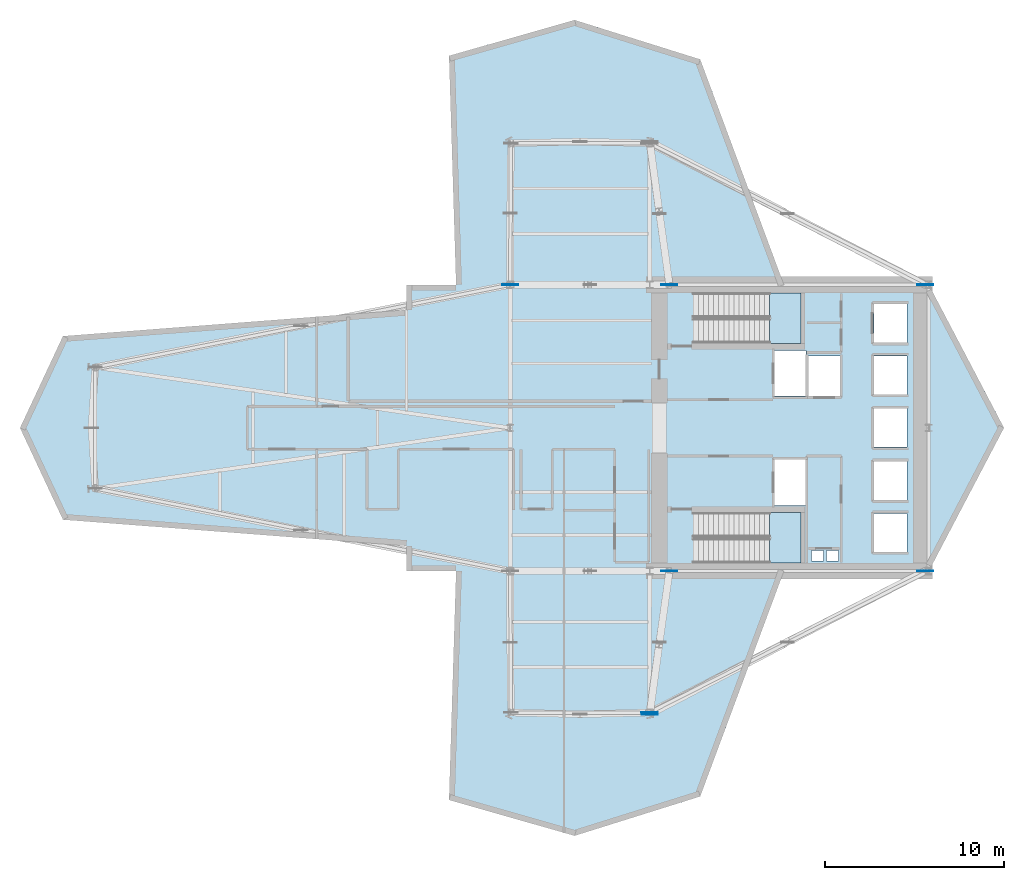
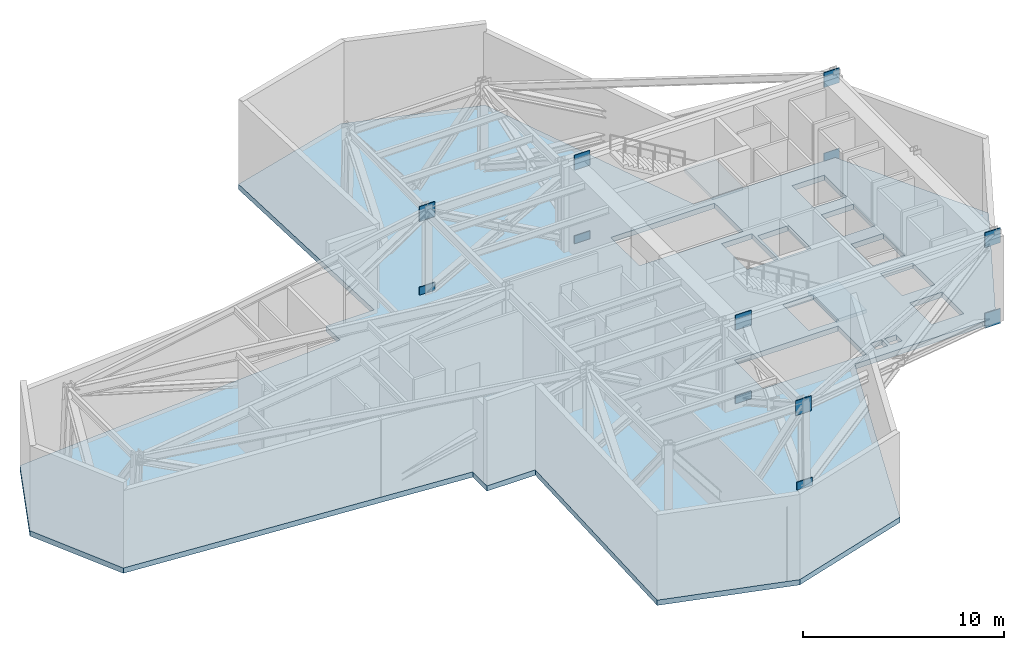
# One storey, part 3 of 7: 12 plates, 3 slabs, 2 elements without a shape of their own.
"""IFC4 building model written with IfcOpenShell, lengths in metres."""

from ifc_helpers import new_model, si_unit, direction, frame, origin, origin_2d, place, context, subcontext, project, spatial, polyline, rectangle, outline, extrude, material, layer, layer_set, type_object, element, aggregate, save


model = new_model("IFC4")

# Units and contexts
model_context = context("Model", 3, precision=1e-05, world=origin(), true_north=direction((0.0, 1.0)))
body_context = subcontext(model_context, "Body", "Model", "MODEL_VIEW")
ifc_project = project(units=[si_unit("LENGTHUNIT", "METRE"), si_unit("AREAUNIT", "SQUARE_METRE"), si_unit("VOLUMEUNIT", "CUBIC_METRE"), si_unit("PLANEANGLEUNIT", "RADIAN"), si_unit("MASSUNIT", "GRAM", prefix="KILO")], contexts=[model_context])

# Site, building, storey
site_placement = place(None, origin())
site = spatial("IfcSite", under=ifc_project, at=site_placement, CompositionType="ELEMENT")
building_placement = place(site_placement, origin())
building = spatial("IfcBuilding", under=site, at=building_placement, Name="Veymaron Broadcast Tower", CompositionType="ELEMENT")
storey_placement = place(building_placement, frame((0.0, 0.0, 32.39990234375)))
storey = spatial("IfcBuildingStorey", under=building, at=storey_placement, Name="L06", CompositionType="ELEMENT", Elevation=32.39990234375)

# Plates
ifc_material_1 = material(Name="Structural steel ASTM A913 Gr 65", Category="steel")
ifc_layer_1 = layer(ifc_material_1, 0.044921875)
ifc_layer_set_1 = layer_set([ifc_layer_1], Name="Structural steel ASTM A913 Gr 65")
plate_type = type_object("IfcPlateType", Name="PLT-NODE-ON1", PredefinedType="SHEET", material=ifc_layer_set_1)
for number, where, z_axis, x_axis, name in (
    (1, (40.10009765625, 32.0, -0.429931640625), (0.0, 0.0, 1.0), (1.0, 0.0, 0.0), "L06 Outrigger end gusset node plate ON1"),
    (2, (31.199951171875, 32.0, 4.460205078125), (0.0, 0.0, 1.0), (1.0, 0.0, 0.0), "L06 Outrigger end gusset node plate ON1"),
    (3, (40.10009765625, 32.0, 4.460205078125), (0.0, 0.0, 1.0), (1.0, 0.0, 0.0), "L06 Outrigger end gusset node plate ON1"),
    (4, (31.199951171875, 32.0, -0.429931640625), (0.0, 0.0, 1.0), (1.0, 0.0, 0.0), "L06 Outrigger end gusset node plate ON1"),
    (5, (40.10009765625, 16.0, -0.429931640625), (0.0, 0.0, 1.0), (1.0, 0.0, 0.0), "L06 Outrigger end gusset node plate ON1"),
    (6, (40.10009765625, 16.0, 4.460205078125), (0.0, 0.0, 1.0), (1.0, 0.0, 0.0), "L06 Outrigger end gusset node plate ON1"),
    (7, (38.985107421875, 8.090087890625, 4.460205078125), (0.0, 0.0, 1.0), (1.0, 0.0, 0.0), "L06 Outrigger end gusset node plate ON1"),
    (8, (39.0, 8.0, -0.429931640625), (0.0, 0.0, 1.0), (1.0, 0.0, 0.0), "L06 Outrigger end gusset node plate ON1"),
    (9, (54.39990234375, 32.0, -0.429931640625), (0.0, 0.0, 1.0), (1.0, 0.0, 0.0), "L06 Outrigger end gusset node plate ON1"),
    (10, (54.39990234375, 32.0, 4.460205078125), (0.0, 0.0, 1.0), (1.0, 0.0, 0.0), "L06 Outrigger end gusset node plate ON1"),
    (11, (54.39990234375, 16.0, -0.429931640625), (0.0, 0.0, 1.0), (1.0, 0.0, 0.0), "L06 Outrigger end gusset node plate ON1"),
    (12, (54.39990234375, 16.0, 4.460205078125), (0.0, 0.0, 1.0), (1.0, 0.0, 0.0), "L06 Outrigger end gusset node plate ON1"),
):
    element("IfcPlate", number, at=place(storey_placement, frame(where, z_axis=z_axis, x_axis=x_axis)), inside=storey, type_object=plate_type, Name=name, PredefinedType="SHEET", context=body_context, shape_type="SweptSolid", body=[
        extrude(rectangle(XDim=0.89990234375, YDim=0.044921875, at=origin_2d()), origin(), (0.0, 0.0, 1.0), 0.89990234375),
    ])

# Slab
ifc_material_2 = material(Name="Concrete C40/50", Category="concrete")
ifc_layer_2 = layer(ifc_material_2, 0.320068359375)
ifc_layer_set_2 = layer_set([ifc_layer_2], Name="Concrete C40/50")
slab_type_1 = type_object("IfcSlabType", Name="SLAB-FS2", PredefinedType="FLOOR", material=ifc_layer_set_2)
slab_1_placement = place(storey_placement, frame((0.0, 0.0, -0.31982421875)))
element("IfcSlab", 13, at=slab_1_placement, inside=storey, type_object=slab_type_1, Name="L06 structural floor slab", PredefinedType="FLOOR", context=body_context, shape_type="SweptSolid", body=[
    extrude(outline(polyline([(46.502685546875, 16.0), (54.60009765625, 16.0), (58.800048828125, 24.0), (54.60009765625, 32.0), (46.502685546875, 32.0), (41.820068359375, 44.60009765625), (34.800048828125, 46.800048828125), (27.780029296875, 44.800048828125), (28.17529296875, 32.0), (25.39990234375, 32.0), (25.39990234375, 30.59716796875), (6.199951171875, 29.1298828125), (3.800048828125, 24.0), (6.199951171875, 18.8701171875), (25.39990234375, 17.40283203125), (25.39990234375, 16.0), (28.17529296875, 16.0), (27.780029296875, 3.199951171875), (34.800048828125, 1.199951171875), (41.820068359375, 3.39990234375), (46.502685546875, 16.0)]), holes=[polyline([(45.969970703125, 28.330078125), (47.72998046875, 28.330078125), (47.72998046875, 25.77001953125), (45.969970703125, 25.77001953125), (45.969970703125, 28.330078125)]), polyline([(45.969970703125, 22.22998046875), (47.72998046875, 22.22998046875), (47.72998046875, 19.669921875), (45.969970703125, 19.669921875), (45.969970703125, 22.22998046875)]), polyline([(47.8701171875, 28.030029296875), (49.6298828125, 28.030029296875), (49.6298828125, 25.77001953125), (47.8701171875, 25.77001953125), (47.8701171875, 28.030029296875)]), polyline([(51.52001953125, 30.929931640625), (53.3798828125, 30.929931640625), (53.3798828125, 28.77001953125), (51.52001953125, 28.77001953125), (51.52001953125, 30.929931640625)]), polyline([(51.52001953125, 28.030029296875), (53.3798828125, 28.030029296875), (53.3798828125, 25.8701171875), (51.52001953125, 25.8701171875), (51.52001953125, 28.030029296875)]), polyline([(51.52001953125, 22.1298828125), (53.3798828125, 22.1298828125), (53.3798828125, 19.969970703125), (51.52001953125, 19.969970703125), (51.52001953125, 22.1298828125)]), polyline([(51.52001953125, 25.080078125), (53.3798828125, 25.080078125), (53.3798828125, 22.919921875), (51.52001953125, 22.919921875), (51.52001953125, 25.080078125)]), polyline([(51.52001953125, 19.22998046875), (53.3798828125, 19.22998046875), (53.3798828125, 17.070068359375), (51.52001953125, 17.070068359375), (51.52001953125, 19.22998046875)]), polyline([(48.050048828125, 17.159912109375), (48.719970703125, 17.159912109375), (48.719970703125, 16.56005859375), (48.050048828125, 16.56005859375), (48.050048828125, 17.159912109375)]), polyline([(48.8798828125, 17.159912109375), (49.550048828125, 17.159912109375), (49.550048828125, 16.56005859375), (48.8798828125, 16.56005859375), (48.8798828125, 17.159912109375)]), polyline([(41.489990234375, 31.550048828125), (47.43994140625, 31.550048828125), (47.43994140625, 28.72998046875), (41.489990234375, 28.72998046875), (41.489990234375, 31.550048828125)]), polyline([(41.489990234375, 19.27001953125), (47.43994140625, 19.27001953125), (47.43994140625, 16.449951171875), (41.489990234375, 16.449951171875), (41.489990234375, 19.27001953125)])]), origin(), (0.0, 0.0, 1.0), 0.31982421875),
])

# Stair, slab
ifc_material_3 = material(Name="Concrete C50/60", Category="concrete")
stair_type_1 = type_object("IfcStairType", Name="STAIR-CORE-1", PredefinedType="HALF_TURN_STAIR", material=ifc_material_3)
stair_1_placement = place(storey_placement, origin())
stair_1 = element("IfcStair", 14, at=stair_1_placement, inside=storey, type_object=stair_type_1, Name="L06 North protected dog-leg exit stair ST1", PredefinedType="HALF_TURN_STAIR")
ifc_layer_3 = layer(ifc_material_3, 0.199951171875)
ifc_layer_set_3 = layer_set([ifc_layer_3], Name="Concrete C50/60")
slab_type_2 = type_object("IfcSlabType", Name="SLAB-STAIR-LDG", PredefinedType="LANDING", material=ifc_layer_set_3)
slab_2_placement = place(storey_placement, frame((0.0, 0.0, 2.5)))
slab_2 = element("IfcSlab", 15, at=slab_2_placement, type_object=slab_type_2, Name="ST1 landing 1", PredefinedType="LANDING", context=body_context, shape_type="SweptSolid", body=[
    extrude(outline(polyline([(45.705078125, 28.72998046875), (47.43994140625, 28.72998046875), (47.43994140625, 31.550048828125), (45.705078125, 31.550048828125), (45.705078125, 28.72998046875)])), origin(), (0.0, 0.0, 1.0), 0.2001953125),
])
aggregate(stair_1, [slab_2])

stair_type_2 = type_object("IfcStairType", Name="STAIR-CORE-2", PredefinedType="HALF_TURN_STAIR", material=ifc_material_3)
stair_2_placement = place(storey_placement, origin())
stair_2 = element("IfcStair", 16, at=stair_2_placement, inside=storey, type_object=stair_type_2, Name="L06 South protected dog-leg exit stair ST2", PredefinedType="HALF_TURN_STAIR")
slab_3_placement = place(storey_placement, frame((0.0, 0.0, 2.5)))
slab_3 = element("IfcSlab", 17, at=slab_3_placement, type_object=slab_type_2, Name="ST2 landing 1", PredefinedType="LANDING", context=body_context, shape_type="SweptSolid", body=[
    extrude(outline(polyline([(45.705078125, 16.449951171875), (47.43994140625, 16.449951171875), (47.43994140625, 19.27001953125), (45.705078125, 19.27001953125), (45.705078125, 16.449951171875)])), origin(), (0.0, 0.0, 1.0), 0.2001953125),
])
aggregate(stair_2, [slab_3])

save(model, "model.ifc")
